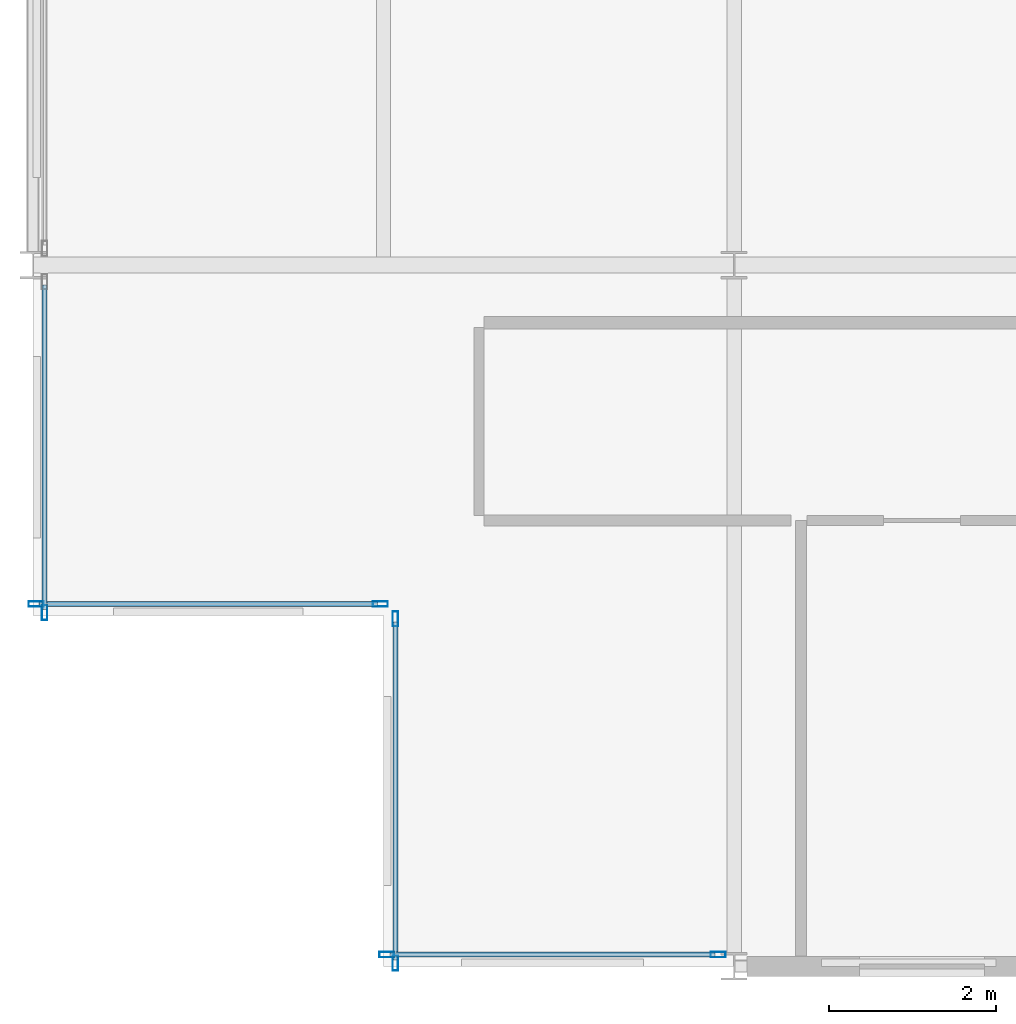
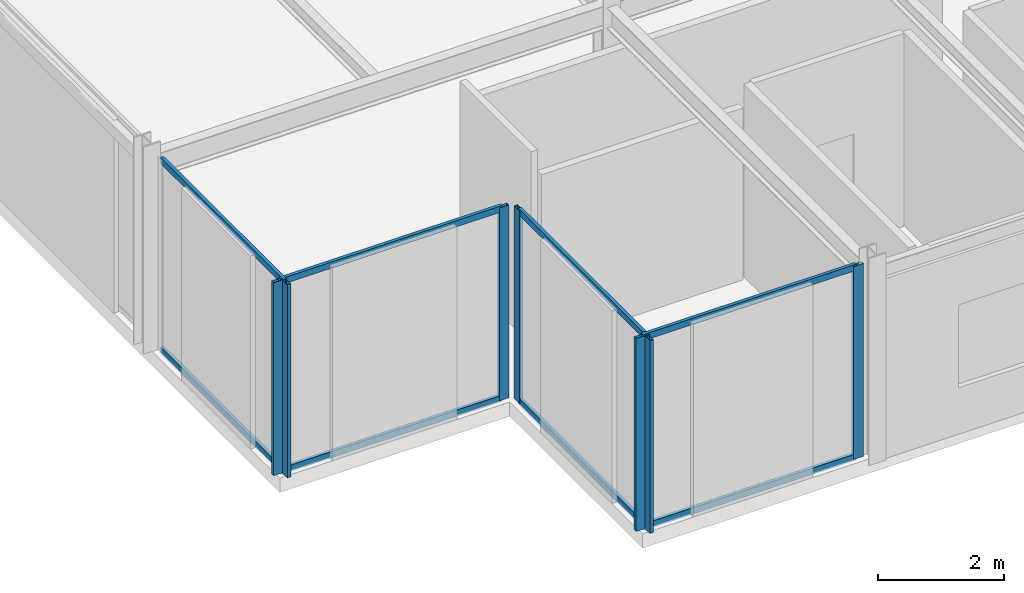
# One storey, part 3 of 26: 15 members, 4 elements without a shape of their own.
"""IFC4 building model written with IfcOpenShell, lengths in metres."""

from ifc_helpers import new_model, si_unit, direction, frame, origin, origin_2d, place, context, subcontext, project, spatial, hollow_rectangle, extrude, material, layer, layer_set, material_profile, profile_set, type_object, element, aggregate, save


model = new_model("IFC4")

# Units and contexts
model_context = context("Model", 3, precision=1e-05, world=origin(), true_north=direction((0.0, 1.0)))
body_context = subcontext(model_context, "Body", "Model", "MODEL_VIEW")
ifc_project = project(units=[si_unit("LENGTHUNIT", "METRE"), si_unit("AREAUNIT", "SQUARE_METRE"), si_unit("VOLUMEUNIT", "CUBIC_METRE"), si_unit("PLANEANGLEUNIT", "RADIAN"), si_unit("MASSUNIT", "GRAM", prefix="KILO")], contexts=[model_context])

# Site, building, storey
site_placement = place(None, origin())
site = spatial("IfcSite", under=ifc_project, at=site_placement, CompositionType="ELEMENT")
building_placement = place(site_placement, origin())
building = spatial("IfcBuilding", under=site, at=building_placement, Name="Nerrivon Quay Data Exchange", CompositionType="ELEMENT")
storey_placement = place(building_placement, frame((0.0, 0.0, 258.199951171875)))
storey = spatial("IfcBuildingStorey", under=building, at=storey_placement, Name="L61", CompositionType="ELEMENT", Elevation=258.199951171875)

# Curtain wall, members
ifc_material = material(Name="Anodised aluminium 6063-T6", Category="aluminium")
ifc_layer = layer(ifc_material, 0.195068359375)
ifc_layer_set = layer_set([ifc_layer], Name="Anodised aluminium 6063-T6")
curtain_wall_type = type_object("IfcCurtainWallType", Name="CW-SYS-06", PredefinedType="NOTDEFINED", material=ifc_layer_set)
curtain_wall_1_placement = place(storey_placement, origin())
curtain_wall_1 = element("IfcCurtainWall", 1, at=curtain_wall_1_placement, inside=storey, type_object=curtain_wall_type, Name="L61 Unitised Curtain Wall 8", PredefinedType="NOTDEFINED")
ifc_material_profile_1 = material_profile(ifc_material, hollow_rectangle(XDim=0.06494140625, YDim=0.179931640625, WallThickness=0.00341796875, at=origin_2d()), Name="ALU-MULL-180x65")
ifc_profile_set_1 = profile_set([ifc_material_profile_1], Name="Anodised aluminium 6063-T6")
member_type_1 = type_object("IfcMemberType", Name="CWM-180x65", PredefinedType="MULLION", material=ifc_profile_set_1)
member_1_placement = place(storey_placement, frame((8.20703125, 0.139892578125, 0.0), z_axis=(0.0, 0.0, 1.0), x_axis=(0.0, -1.0, 0.0)))
member_1 = element("IfcMember", 2, at=member_1_placement, type_object=member_type_1, Name="CW06 mullion 1", PredefinedType="MULLION", context=body_context, shape_type="SweptSolid", body=[
    extrude(hollow_rectangle(XDim=0.06494140625, YDim=0.179931640625, WallThickness=0.00341796875, at=origin_2d()), origin(), (0.0, 0.0, 1.0), 3.72509765625),
])
member_2_placement = place(storey_placement, frame((4.237548828125, 0.139892578125, 0.0), z_axis=(0.0, 0.0, 1.0), x_axis=(0.0, -1.0, 0.0)))
member_2 = element("IfcMember", 3, at=member_2_placement, type_object=member_type_1, Name="CW06 mullion 2", PredefinedType="MULLION", context=body_context, shape_type="SweptSolid", body=[
    extrude(hollow_rectangle(XDim=0.06494140625, YDim=0.179931640625, WallThickness=0.00341796875, at=origin_2d()), origin(), (0.0, 0.0, 1.0), 3.72509765625),
])

curtain_wall_2_placement = place(storey_placement, origin())
curtain_wall_2 = element("IfcCurtainWall", 4, at=curtain_wall_2_placement, inside=storey, type_object=curtain_wall_type, Name="L61 Unitised Curtain Wall 9", PredefinedType="NOTDEFINED")
member_3_placement = place(storey_placement, frame((4.340087890625, 0.03759765625, 0.0), z_axis=(0.0, 0.0, 1.0), x_axis=(-1.0, 0.0, 0.0)))
member_3 = element("IfcMember", 5, at=member_3_placement, type_object=member_type_1, Name="CW06 mullion 1", PredefinedType="MULLION", context=body_context, shape_type="SweptSolid", body=[
    extrude(hollow_rectangle(XDim=0.06494140625, YDim=0.179931640625, WallThickness=0.00341796875, at=origin_2d()), origin(), (0.0, 0.0, 1.0), 3.72509765625),
])
member_4_placement = place(storey_placement, frame((4.340087890625, 4.16259765625, 0.0), z_axis=(0.0, 0.0, 1.0), x_axis=(-1.0, 0.0, 0.0)))
member_4 = element("IfcMember", 6, at=member_4_placement, type_object=member_type_1, Name="CW06 mullion 2", PredefinedType="MULLION", context=body_context, shape_type="SweptSolid", body=[
    extrude(hollow_rectangle(XDim=0.06494140625, YDim=0.179931640625, WallThickness=0.00341796875, at=origin_2d()), origin(), (0.0, 0.0, 1.0), 3.72509765625),
])

curtain_wall_3_placement = place(storey_placement, origin())
curtain_wall_3 = element("IfcCurtainWall", 7, at=curtain_wall_3_placement, inside=storey, type_object=curtain_wall_type, Name="L61 Unitised Curtain Wall 10", PredefinedType="NOTDEFINED")
member_5_placement = place(storey_placement, frame((4.16259765625, 4.340087890625, 0.0), z_axis=(0.0, 0.0, 1.0), x_axis=(0.0, -1.0, 0.0)))
member_5 = element("IfcMember", 8, at=member_5_placement, type_object=member_type_1, Name="CW06 mullion 1", PredefinedType="MULLION", context=body_context, shape_type="SweptSolid", body=[
    extrude(hollow_rectangle(XDim=0.06494140625, YDim=0.179931640625, WallThickness=0.00341796875, at=origin_2d()), origin(), (0.0, 0.0, 1.0), 3.72509765625),
])
member_6_placement = place(storey_placement, frame((0.03759765625, 4.340087890625, 0.0), z_axis=(0.0, 0.0, 1.0), x_axis=(0.0, -1.0, 0.0)))
member_6 = element("IfcMember", 9, at=member_6_placement, type_object=member_type_1, Name="CW06 mullion 2", PredefinedType="MULLION", context=body_context, shape_type="SweptSolid", body=[
    extrude(hollow_rectangle(XDim=0.06494140625, YDim=0.179931640625, WallThickness=0.00341796875, at=origin_2d()), origin(), (0.0, 0.0, 1.0), 3.72509765625),
])

# Curtain wall, member
curtain_wall_4_placement = place(storey_placement, origin())
curtain_wall_4 = element("IfcCurtainWall", 10, at=curtain_wall_4_placement, inside=storey, type_object=curtain_wall_type, Name="L61 Unitised Curtain Wall 11", PredefinedType="NOTDEFINED")
member_7_placement = place(storey_placement, frame((0.139892578125, 4.237548828125, 0.0), z_axis=(0.0, 0.0, 1.0), x_axis=(-1.0, 0.0, 0.0)))
member_7 = element("IfcMember", 11, at=member_7_placement, type_object=member_type_1, Name="CW06 mullion 1", PredefinedType="MULLION", context=body_context, shape_type="SweptSolid", body=[
    extrude(hollow_rectangle(XDim=0.06494140625, YDim=0.179931640625, WallThickness=0.00341796875, at=origin_2d()), origin(), (0.0, 0.0, 1.0), 3.72509765625),
])

# Member
ifc_material_profile_2 = material_profile(ifc_material, hollow_rectangle(XDim=0.06005859375, YDim=0.1201171875, WallThickness=0.003173828125, at=origin_2d()), Name="ALU-TRAN-120x60")
ifc_profile_set_2 = profile_set([ifc_material_profile_2], Name="Anodised aluminium 6063-T6")
member_type_2 = type_object("IfcMemberType", Name="CWT-120x60", PredefinedType="USERDEFINED", material=ifc_profile_set_2)
member_8_placement = place(storey_placement, frame((8.16943359375, 0.139892578125, 0.032470703125), z_axis=(-1.0, 0.0, 0.0), x_axis=(0.0, -1.0, 0.0)))
member_8 = element("IfcMember", 12, at=member_8_placement, type_object=member_type_2, Name="CW06 transom 1.1", ObjectType="TRANSOM", PredefinedType="USERDEFINED", context=body_context, shape_type="SweptSolid", body=[
    extrude(hollow_rectangle(XDim=0.06005859375, YDim=0.1201171875, WallThickness=0.003173828125, at=origin_2d()), origin(), (0.0, 0.0, 1.0), 3.89453125),
])

member_9_placement = place(storey_placement, frame((8.16943359375, 0.139892578125, 3.692626953125), z_axis=(-1.0, 0.0, 0.0), x_axis=(0.0, -1.0, 0.0)))
member_9 = element("IfcMember", 13, at=member_9_placement, type_object=member_type_2, Name="CW06 transom 1.2", ObjectType="TRANSOM", PredefinedType="USERDEFINED", context=body_context, shape_type="SweptSolid", body=[
    extrude(hollow_rectangle(XDim=0.06005859375, YDim=0.1201171875, WallThickness=0.003173828125, at=origin_2d()), origin(), (0.0, 0.0, 1.0), 3.89453125),
])

aggregate(curtain_wall_1, [member_1, member_2, member_8, member_9])

member_10_placement = place(storey_placement, frame((4.340087890625, 0.074951171875, 0.032470703125), z_axis=(0.0, 1.0, 0.0), x_axis=(-1.0, 0.0, 0.0)))
member_10 = element("IfcMember", 14, at=member_10_placement, type_object=member_type_2, Name="CW06 transom 1.1", ObjectType="TRANSOM", PredefinedType="USERDEFINED", context=body_context, shape_type="SweptSolid", body=[
    extrude(hollow_rectangle(XDim=0.06005859375, YDim=0.1201171875, WallThickness=0.003173828125, at=origin_2d()), origin(), (0.0, 0.0, 1.0), 4.050048828125),
])

member_11_placement = place(storey_placement, frame((4.340087890625, 0.074951171875, 3.692626953125), z_axis=(0.0, 1.0, 0.0), x_axis=(-1.0, 0.0, 0.0)))
member_11 = element("IfcMember", 15, at=member_11_placement, type_object=member_type_2, Name="CW06 transom 1.2", ObjectType="TRANSOM", PredefinedType="USERDEFINED", context=body_context, shape_type="SweptSolid", body=[
    extrude(hollow_rectangle(XDim=0.06005859375, YDim=0.1201171875, WallThickness=0.003173828125, at=origin_2d()), origin(), (0.0, 0.0, 1.0), 4.050048828125),
])

aggregate(curtain_wall_2, [member_3, member_4, member_10, member_11])

member_12_placement = place(storey_placement, frame((4.125, 4.340087890625, 0.032470703125), z_axis=(-1.0, 0.0, 0.0), x_axis=(0.0, -1.0, 0.0)))
member_12 = element("IfcMember", 16, at=member_12_placement, type_object=member_type_2, Name="CW06 transom 1.1", ObjectType="TRANSOM", PredefinedType="USERDEFINED", context=body_context, shape_type="SweptSolid", body=[
    extrude(hollow_rectangle(XDim=0.06005859375, YDim=0.1201171875, WallThickness=0.003173828125, at=origin_2d()), origin(), (0.0, 0.0, 1.0), 4.050048828125),
])

member_13_placement = place(storey_placement, frame((4.125, 4.340087890625, 3.692626953125), z_axis=(-1.0, 0.0, 0.0), x_axis=(0.0, -1.0, 0.0)))
member_13 = element("IfcMember", 17, at=member_13_placement, type_object=member_type_2, Name="CW06 transom 1.2", ObjectType="TRANSOM", PredefinedType="USERDEFINED", context=body_context, shape_type="SweptSolid", body=[
    extrude(hollow_rectangle(XDim=0.06005859375, YDim=0.1201171875, WallThickness=0.003173828125, at=origin_2d()), origin(), (0.0, 0.0, 1.0), 4.050048828125),
])

aggregate(curtain_wall_3, [member_5, member_6, member_12, member_13])

member_14_placement = place(storey_placement, frame((0.139892578125, 4.27490234375, 0.032470703125), z_axis=(0.0, 1.0, 0.0), x_axis=(-1.0, 0.0, 0.0)))
member_14 = element("IfcMember", 18, at=member_14_placement, type_object=member_type_2, Name="CW06 transom 1.1", ObjectType="TRANSOM", PredefinedType="USERDEFINED", context=body_context, shape_type="SweptSolid", body=[
    extrude(hollow_rectangle(XDim=0.06005859375, YDim=0.1201171875, WallThickness=0.003173828125, at=origin_2d()), origin(), (0.0, 0.0, 1.0), 3.88671875),
])

member_15_placement = place(storey_placement, frame((0.139892578125, 4.27490234375, 3.692626953125), z_axis=(0.0, 1.0, 0.0), x_axis=(-1.0, 0.0, 0.0)))
member_15 = element("IfcMember", 19, at=member_15_placement, type_object=member_type_2, Name="CW06 transom 1.2", ObjectType="TRANSOM", PredefinedType="USERDEFINED", context=body_context, shape_type="SweptSolid", body=[
    extrude(hollow_rectangle(XDim=0.06005859375, YDim=0.1201171875, WallThickness=0.003173828125, at=origin_2d()), origin(), (0.0, 0.0, 1.0), 3.88671875),
])

aggregate(curtain_wall_4, [member_7, member_14, member_15])

save(model, "model.ifc")
